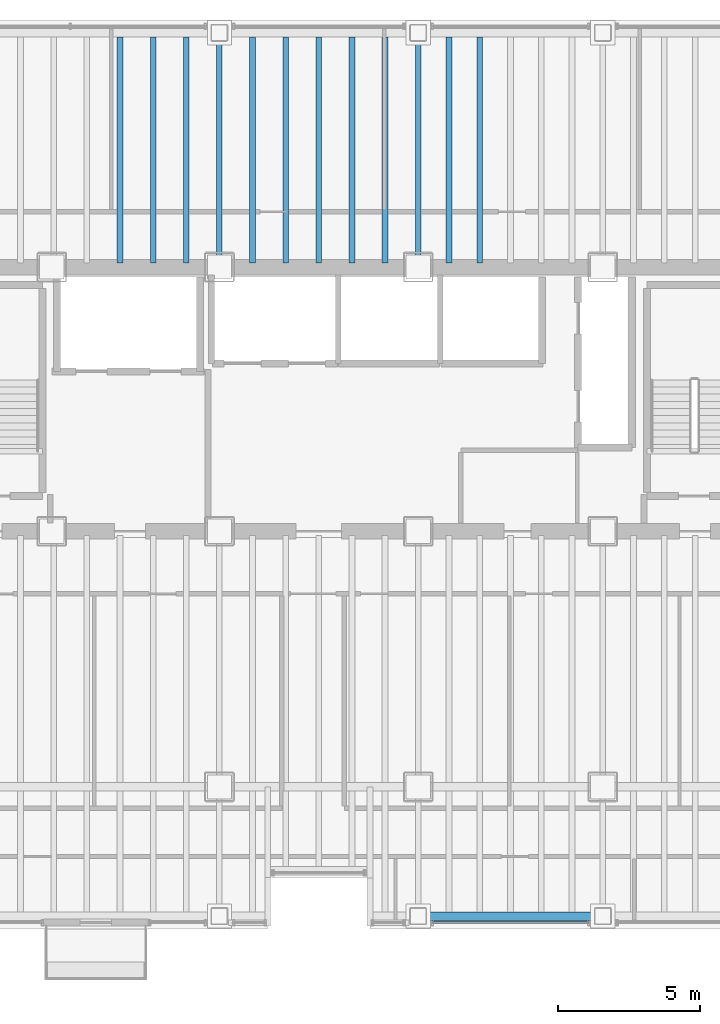
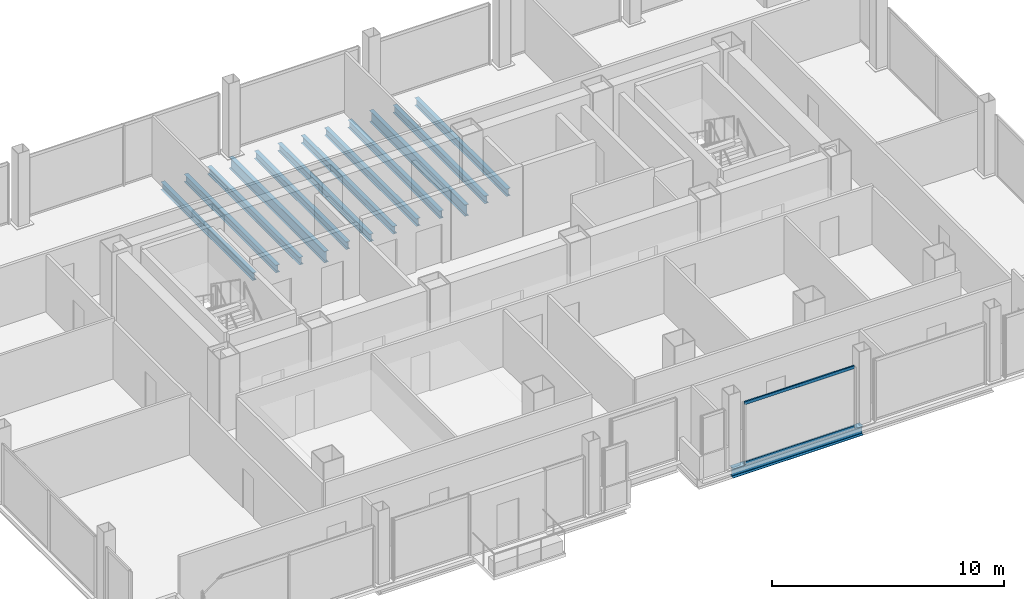
# One storey, part 8 of 21: 13 beams, 2 members, 1 element without a shape of its own.
"""IFC4 building model written with IfcOpenShell, lengths in metres."""

from ifc_helpers import new_model, si_unit, direction, frame, origin, origin_2d, place, context, subcontext, project, spatial, hollow_rectangle, i_section, extrude, material, material_profile, profile_set, type_object, element, aggregate, save


model = new_model("IFC4")

# Units and contexts
model_context = context("Model", 3, precision=1e-05, world=origin(), true_north=direction((0.0, 1.0)))
body_context = subcontext(model_context, "Body", "Model", "MODEL_VIEW")
ifc_project = project(units=[si_unit("LENGTHUNIT", "METRE"), si_unit("AREAUNIT", "SQUARE_METRE"), si_unit("VOLUMEUNIT", "CUBIC_METRE"), si_unit("PLANEANGLEUNIT", "RADIAN"), si_unit("MASSUNIT", "GRAM", prefix="KILO")], contexts=[model_context])

# Site, building, storey
site_placement = place(None, origin())
site = spatial("IfcSite", under=ifc_project, at=site_placement, CompositionType="ELEMENT")
building_placement = place(site_placement, origin())
building = spatial("IfcBuilding", under=site, at=building_placement, Name="Noeulbin Bourse Tower", CompositionType="ELEMENT")
storey_placement = place(building_placement, frame((0.0, 0.0, 42.10009765625)))
storey = spatial("IfcBuildingStorey", under=building, at=storey_placement, Name="L10", CompositionType="ELEMENT", Elevation=42.10009765625)

# Beams
ifc_material_1 = material(Name="Steel S355", Category="steel")
ifc_material_profile_1 = material_profile(ifc_material_1, i_section(OverallWidth=0.199951171875, OverallDepth=0.60009765625, WebThickness=0.010986328125, FlangeThickness=0.01708984375, FilletRadius=0.02197265625, at=origin_2d()), Name="H-600x200x11x17", Category="LoadBearing")
ifc_profile_set_1 = profile_set([ifc_material_profile_1], Name="Steel S355")
beam_type_1 = type_object("IfcBeamType", Name="BM-GRD-600", PredefinedType="USERDEFINED", material=ifc_profile_set_1)
for number, where, z_axis, x_axis, name in (
    (1, (24.0, 38.300048828125, -0.47998046875), (0.0, 1.0, 0.0), (-1.0, 0.0, 0.0), "Tower Primary Girder NS L10-2.4"),
    (2, (31.0, 38.300048828125, -0.47998046875), (0.0, 1.0, 0.0), (-1.0, 0.0, 0.0), "Tower Primary Girder NS L10-3.4"),
):
    element("IfcBeam", number, at=place(storey_placement, frame(where, z_axis=z_axis, x_axis=x_axis)), inside=storey, type_object=beam_type_1, Name=name, ObjectType="GIRDER", PredefinedType="USERDEFINED", context=body_context, shape_type="SweptSolid", body=[
        extrude(i_section(OverallWidth=0.199951171875, OverallDepth=0.60009765625, WebThickness=0.010986328125, FlangeThickness=0.01708984375, FilletRadius=0.02197265625, at=origin_2d()), origin(), (0.0, 0.0, 1.0), 8.25),
    ])
ifc_material_profile_2 = material_profile(ifc_material_1, i_section(OverallWidth=0.199951171875, OverallDepth=0.39990234375, WebThickness=0.008056640625, FlangeThickness=0.012939453125, FilletRadius=0.01611328125, at=origin_2d()), Name="H-400x200x8x13", Category="LoadBearing")
ifc_profile_set_2 = profile_set([ifc_material_profile_2], Name="Steel S355")
beam_type_2 = type_object("IfcBeamType", Name="BM-SEC-400", PredefinedType="BEAM", material=ifc_profile_set_2)
for number, where, z_axis, x_axis, name in (
    (3, (20.5, 38.449951171875, -0.380126953125), (0.0, 1.0, 0.0), (-1.0, 0.0, 0.0), "Tower Composite Joist L10-18"),
    (4, (21.666748046875, 38.449951171875, -0.380126953125), (0.0, 1.0, 0.0), (-1.0, 0.0, 0.0), "Tower Composite Joist L10-21"),
    (5, (22.833251953125, 38.449951171875, -0.380126953125), (0.0, 1.0, 0.0), (-1.0, 0.0, 0.0), "Tower Composite Joist L10-24"),
    (6, (25.166748046875, 38.449951171875, -0.380126953125), (0.0, 1.0, 0.0), (-1.0, 0.0, 0.0), "Tower Composite Joist L10-27"),
    (7, (26.333251953125, 38.449951171875, -0.380126953125), (0.0, 1.0, 0.0), (-1.0, 0.0, 0.0), "Tower Composite Joist L10-30"),
    (8, (27.5, 38.449951171875, -0.380126953125), (0.0, 1.0, 0.0), (-1.0, 0.0, 0.0), "Tower Composite Joist L10-33"),
    (9, (28.666748046875, 38.449951171875, -0.380126953125), (0.0, 1.0, 0.0), (-1.0, 0.0, 0.0), "Tower Composite Joist L10-36"),
    (10, (29.833251953125, 38.449951171875, -0.380126953125), (0.0, 1.0, 0.0), (-1.0, 0.0, 0.0), "Tower Composite Joist L10-39"),
    (11, (32.083251953125, 38.449951171875, -0.380126953125), (0.0, 1.0, 0.0), (-1.0, 0.0, 0.0), "Tower Composite Joist L10-42"),
    (12, (33.166748046875, 38.449951171875, -0.380126953125), (0.0, 1.0, 0.0), (-1.0, 0.0, 0.0), "Tower Composite Joist L10-45"),
):
    element("IfcBeam", number, at=place(storey_placement, frame(where, z_axis=z_axis, x_axis=x_axis)), inside=storey, type_object=beam_type_2, Name=name, PredefinedType="BEAM", context=body_context, shape_type="SweptSolid", body=[
        extrude(i_section(OverallWidth=0.199951171875, OverallDepth=0.39990234375, WebThickness=0.008056640625, FlangeThickness=0.012939453125, FilletRadius=0.01611328125, at=origin_2d()), origin(), (0.0, 0.0, 1.0), 7.949951171875),
    ])
ifc_material_profile_3 = material_profile(ifc_material_1, i_section(OverallWidth=0.300048828125, OverallDepth=0.488037109375, WebThickness=0.010986328125, FlangeThickness=0.01806640625, FilletRadius=0.02197265625, at=origin_2d()), Name="H-488x300x11x18", Category="LoadBearing")
ifc_profile_set_3 = profile_set([ifc_material_profile_3], Name="Steel S355")
beam_type_3 = type_object("IfcBeamType", Name="BM-SPN-488", PredefinedType="SPANDREL", material=ifc_profile_set_3)
beam_placement = place(storey_placement, frame((31.0, 15.449951171875, -0.424072265625), z_axis=(1.0, 0.0, 0.0), x_axis=(0.0, 1.0, 0.0)))
element("IfcBeam", 13, at=beam_placement, inside=storey, type_object=beam_type_3, Name="South Spandrel L10-3", PredefinedType="SPANDREL", context=body_context, shape_type="SweptSolid", body=[
    extrude(i_section(OverallWidth=0.300048828125, OverallDepth=0.488037109375, WebThickness=0.010986328125, FlangeThickness=0.01806640625, FilletRadius=0.02197265625, at=origin_2d()), origin(), (0.0, 0.0, 1.0), 6.5),
])

# Curtain wall, members
ifc_material_2 = material(Name="Dark Solar-Control Double Glazing", Category="glass")
curtain_wall_type = type_object("IfcCurtainWallType", Name="CW-SYS-2", PredefinedType="NOTDEFINED", material=ifc_material_2)
curtain_wall_placement = place(storey_placement, origin())
curtain_wall = element("IfcCurtainWall", 14, at=curtain_wall_placement, inside=storey, type_object=curtain_wall_type, Name="Unitised Curtain Wall CW-L10-S3-S2", PredefinedType="NOTDEFINED")
ifc_material_3 = material(Name="Anodised Aluminium 6063-T6", Category="aluminium")
ifc_material_profile_4 = material_profile(ifc_material_3, hollow_rectangle(XDim=0.074951171875, YDim=0.159912109375, WallThickness=0.0048828125, InnerFilletRadius=0.00244140625, OuterFilletRadius=0.0048828125, at=origin_2d()), Name="ALU-TRAN-75x160x5", Category="LoadBearing")
ifc_profile_set_4 = profile_set([ifc_material_profile_4], Name="Anodised Aluminium 6063-T6")
member_type = type_object("IfcMemberType", Name="CW-SYS-2-TRN", PredefinedType="USERDEFINED", material=ifc_profile_set_4)
member_1_placement = place(storey_placement, frame((31.510009765625, 15.219970703125, 0.010009765625), z_axis=(1.0, 0.0, 0.0), x_axis=(0.0, 1.0, 0.0)))
member_1 = element("IfcMember", 15, at=member_1_placement, type_object=member_type, Name="Curtain Wall Transom CW-L10-S3-S2-T00", ObjectType="TRANSOM", PredefinedType="USERDEFINED", context=body_context, shape_type="SweptSolid", body=[
    extrude(hollow_rectangle(XDim=0.074951171875, YDim=0.159912109375, WallThickness=0.0048828125, InnerFilletRadius=0.00244140625, OuterFilletRadius=0.0048828125, at=origin_2d()), origin(), (0.0, 0.0, 1.0), 5.47998046875),
])
member_2_placement = place(storey_placement, frame((31.510009765625, 15.219970703125, 3.169921875), z_axis=(1.0, 0.0, 0.0), x_axis=(0.0, 1.0, 0.0)))
member_2 = element("IfcMember", 16, at=member_2_placement, type_object=member_type, Name="Curtain Wall Transom CW-L10-S3-S2-T01", ObjectType="TRANSOM", PredefinedType="USERDEFINED", context=body_context, shape_type="SweptSolid", body=[
    extrude(hollow_rectangle(XDim=0.074951171875, YDim=0.159912109375, WallThickness=0.0048828125, InnerFilletRadius=0.00244140625, OuterFilletRadius=0.0048828125, at=origin_2d()), origin(), (0.0, 0.0, 1.0), 5.47998046875),
])
aggregate(curtain_wall, [member_1, member_2])

save(model, "model.ifc")
